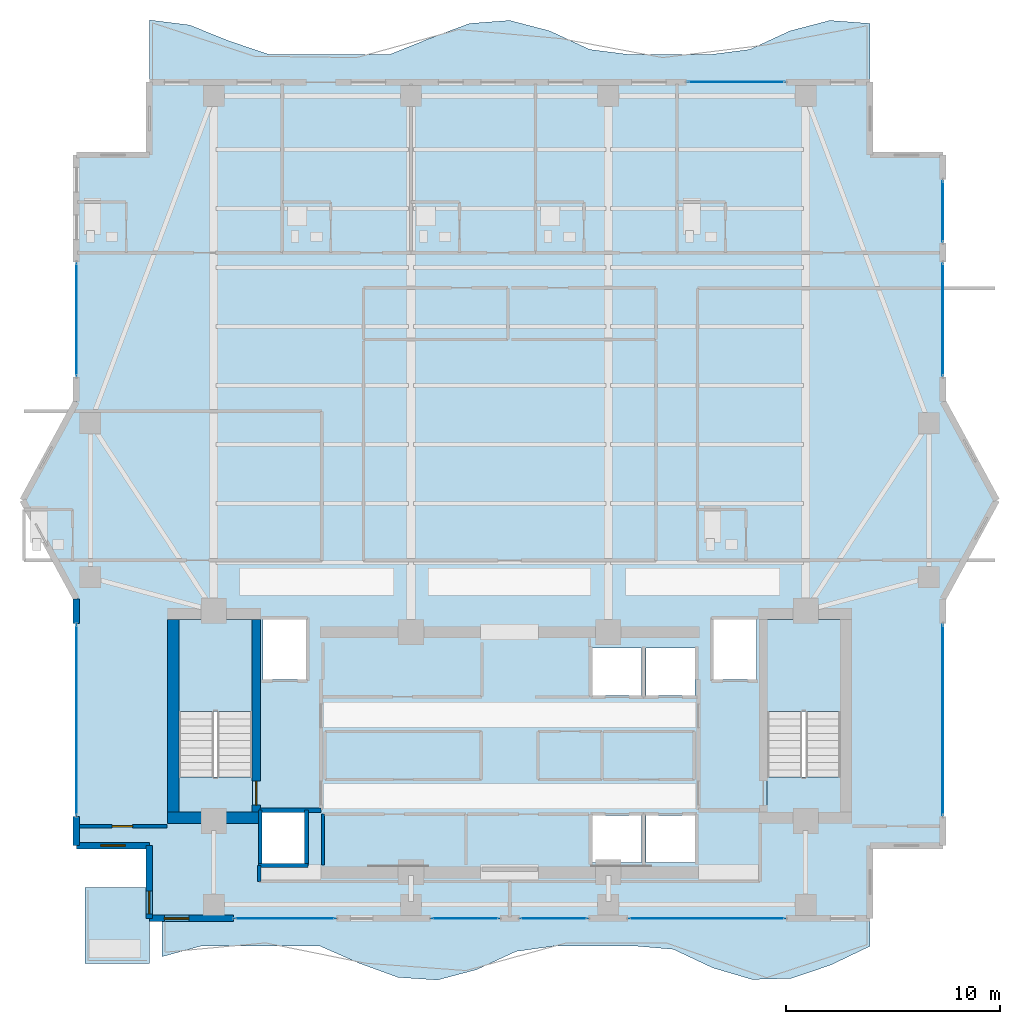
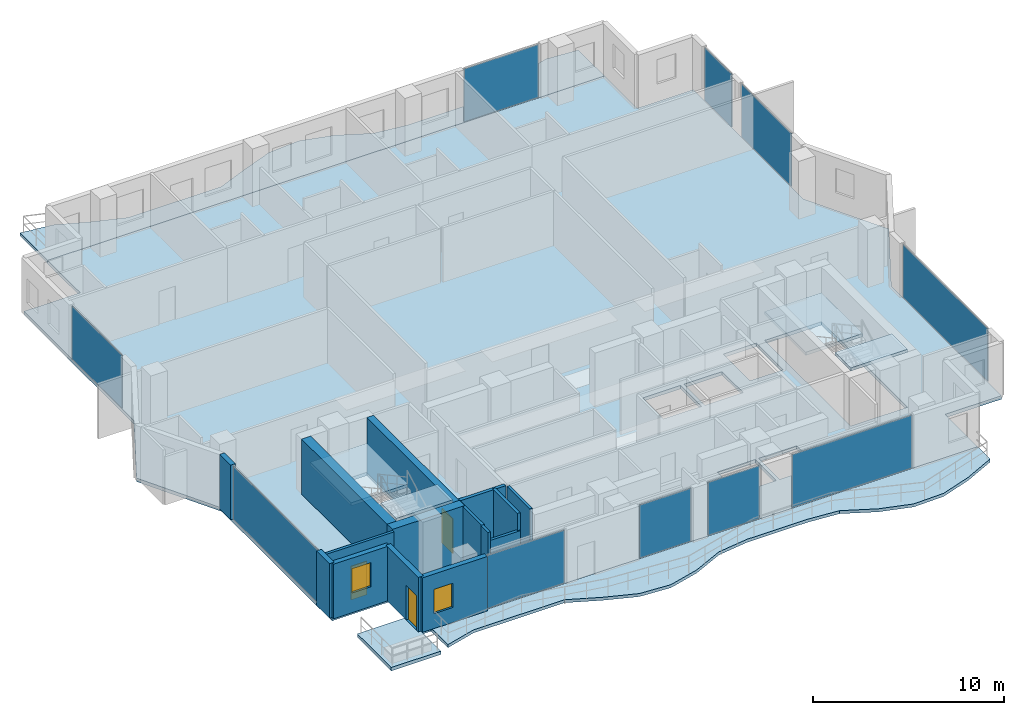
# One storey, part 17 of 26: 15 walls, 10 plates, 8 slabs, 3 doors, 2 windows, 5 openings, 12 elements without a shape of their own.
"""IFC4 building model written with IfcOpenShell, lengths in metres."""

import ifcopenshell
import ifcopenshell.guid

model = None  # the IFC model being written
_history = None  # IfcOwnerHistory: only IFC2X3 demands one
_inside = {}  # id of a spatial element -> (the spatial element, [elements in it])
_under = {}  # id of a project, library or spatial element -> (it, [spatial elements below it])
_declared = {}  # id of a project -> (the project, [libraries it declares])
_typed = {}  # id of a type object -> (the type object, [elements of that type])
_made_of = {}  # id of a material, layer set ... -> (it, [elements and type objects made of it])


def new_model(schema):
    """Start an empty IFC model of exactly this schema.

    Asked for "IFC4X3", IfcOpenShell would pick the latest addendum, in which some entities
    have other attributes; the version numbers below select the first issue.
    IFC2X3 requires an IfcOwnerHistory on every rooted entity: one is made here for all.
    """
    global model, _history
    if schema == "IFC4X3":
        model = ifcopenshell.file(schema_version=(4, 3, 0, 0))
    else:
        model = ifcopenshell.file(schema=schema)
    _inside.clear()
    _under.clear()
    _declared.clear()
    _typed.clear()
    _made_of.clear()
    _history = None
    if model.schema == "IFC2X3":
        org = make("IfcOrganization", Name="unknown")
        user = make(
            "IfcPersonAndOrganization",
            ThePerson=make("IfcPerson", FamilyName="unknown"),
            TheOrganization=org,
        )
        app = make(
            "IfcApplication",
            ApplicationDeveloper=org,
            Version="unknown",
            ApplicationFullName="unknown",
            ApplicationIdentifier="unknown",
        )
        _history = make(
            "IfcOwnerHistory",
            OwningUser=user,
            OwningApplication=app,
            ChangeAction="ADDED",
            CreationDate=0,
        )
    return model


def make(cls, **values):
    """One entity of the class cls with the attributes given. An attribute that is None is left unset."""
    return model.create_entity(
        cls, **{name: value for name, value in values.items() if value is not None}
    )


def rooted(cls, **values):
    """An entity with a GlobalId (a new one), such as an element, a storey or a relation."""
    return make(cls, GlobalId=ifcopenshell.guid.new(), OwnerHistory=_history, **values)


def si_unit(unit_type, name, prefix=None):
    """IfcSIUnit, for example si_unit("LENGTHUNIT", "METRE", prefix="MILLI")."""
    return make("IfcSIUnit", UnitType=unit_type, Prefix=prefix, Name=name)


def assignment(units):
    """IfcUnitAssignment: the units of a project."""
    return None if units is None else make("IfcUnitAssignment", Units=units)


def point(xyz):
    """IfcCartesianPoint."""
    return None if xyz is None else make("IfcCartesianPoint", Coordinates=xyz)


def direction(xyz):
    """IfcDirection."""
    return None if xyz is None else make("IfcDirection", DirectionRatios=xyz)


def frame(location, z_axis=None, x_axis=None):
    """IfcAxis2Placement3D, a coordinate frame: its origin and axes. An axis left out is left unset."""
    return make(
        "IfcAxis2Placement3D",
        Location=point(location),
        Axis=direction(z_axis),
        RefDirection=direction(x_axis),
    )


def frame_2d(location, x_axis=None):
    """IfcAxis2Placement2D, a coordinate frame in the plane: its origin and x axis."""
    return make(
        "IfcAxis2Placement2D", Location=point(location), RefDirection=direction(x_axis)
    )


def origin():
    """The frame at (0, 0, 0) with its axes left unset."""
    return frame((0.0, 0.0, 0.0))


def origin_2d():
    """The frame at (0, 0) in the plane with its x axis left unset."""
    return frame_2d((0.0, 0.0))


def place(relative_to, where):
    """IfcLocalPlacement: puts the frame where relative to a parent placement (None: the world)."""
    return make(
        "IfcLocalPlacement", PlacementRelTo=relative_to, RelativePlacement=where
    )


def context(
    kind, dimensions, precision=None, world=None, true_north=None, identifier=None
):
    """IfcGeometricRepresentationContext, for example the 3D "Model" context."""
    return make(
        "IfcGeometricRepresentationContext",
        ContextIdentifier=identifier,
        ContextType=kind,
        CoordinateSpaceDimension=dimensions,
        Precision=precision,
        WorldCoordinateSystem=world,
        TrueNorth=true_north,
    )


def subcontext(parent, identifier, kind, view, scale=None):
    """IfcGeometricRepresentationSubContext, for example "Body" below "Model"."""
    return make(
        "IfcGeometricRepresentationSubContext",
        ContextIdentifier=identifier,
        ContextType=kind,
        ParentContext=parent,
        TargetScale=scale,
        TargetView=view,
    )


def project(units=None, contexts=None):
    """IfcProject with its units and contexts."""
    return rooted(
        "IfcProject",
        Name="project",
        RepresentationContexts=contexts,
        UnitsInContext=assignment(units),
    )


def spatial(cls, under=None, at=None, **own):
    """A site, building, storey or space (cls), placed at a placement, below another one or the project."""
    s = rooted(cls, ObjectPlacement=at, **own)
    if under is not None:
        _under.setdefault(under.id(), (under, []))[1].append(s)
    return s


def polyline(points):
    """IfcPolyline through the points."""
    return make("IfcPolyline", Points=[point(p) for p in points])


def profile(cls, at=None, kind="AREA", **sizes):
    """A parametric profile (cls). Its sizes go by their IFC names, for example OverallWidth=200.0."""
    return make(cls, ProfileType=kind, Position=at, **sizes)


def rectangle(**sizes):
    """IfcRectangleProfileDef."""
    return profile("IfcRectangleProfileDef", **sizes)


def outline(outer, holes=None, kind="AREA"):
    """IfcArbitraryClosedProfileDef: a profile drawn as a closed curve; with holes, ...WithVoids."""
    if holes is None:
        return make("IfcArbitraryClosedProfileDef", ProfileType=kind, OuterCurve=outer)
    return make(
        "IfcArbitraryProfileDefWithVoids",
        ProfileType=kind,
        OuterCurve=outer,
        InnerCurves=holes,
    )


def extrude(swept, where, along, depth):
    """IfcExtrudedAreaSolid: the profile swept, set in the frame where, extruded along a direction by depth."""
    return make(
        "IfcExtrudedAreaSolid",
        SweptArea=swept,
        Position=where,
        ExtrudedDirection=direction(along),
        Depth=depth,
    )


def shape(context_of_items, identifier, shape_type, items):
    """IfcShapeRepresentation: the items that make up one representation, for example the "Body"."""
    return make(
        "IfcShapeRepresentation",
        ContextOfItems=context_of_items,
        RepresentationIdentifier=identifier,
        RepresentationType=shape_type,
        Items=items,
    )


def material(Name=None, Category=None):
    """IfcMaterial."""
    return make("IfcMaterial", Name=Name, Category=Category)


def layer(
    of_material, thickness, ventilated=None, Name=None, Category=None, Priority=None
):
    """IfcMaterialLayer: one layer of a wall or slab, of a material (None: an air gap)."""
    return make(
        "IfcMaterialLayer",
        Material=of_material,
        LayerThickness=thickness,
        IsVentilated=ventilated,
        Name=Name,
        Category=Category,
        Priority=Priority,
    )


def layer_set(layers, Name=None):
    """IfcMaterialLayerSet."""
    return make("IfcMaterialLayerSet", MaterialLayers=layers, LayerSetName=Name)


def made_of(thing, what):
    """Note that an element or type object is made of a material, layer set ...; save() writes the relation."""
    if what is not None:
        _made_of.setdefault(what.id(), (what, []))[1].append(thing)
    return thing


def type_object(cls, material=None, **own):
    """A type object (cls), such as IfcWallType, which elements share."""
    return made_of(rooted(cls, **own), material)


def element(
    cls,
    number,
    at=None,
    inside=None,
    cuts=None,
    type_object=None,
    material=None,
    context=None,
    identifier="Body",
    shape_type=None,
    held_by="IfcProductDefinitionShape",
    body=None,
    shapes=None,
    **own,
):
    """One element of the class cls, such as IfcWall. Its Tag is "e" and its number.

    at: its placement. inside: the storey or other place that contains it. cuts: it is an
    opening in that element (IfcRelVoidsElement). A single representation is given by context,
    identifier, shape_type and body (its items); several are given by shapes. held_by: the class
    of the entity that holds the representations. save() writes the other relations.
    """
    e = rooted(cls, Tag="e%d" % number, ObjectPlacement=at, **own)
    if body is not None:
        shapes = [shape(context, identifier, shape_type, body)]
    if shapes is not None:
        e.Representation = make(held_by, Representations=shapes)
    if inside is not None:
        _inside.setdefault(inside.id(), (inside, []))[1].append(e)
    if cuts is not None:
        rooted(
            "IfcRelVoidsElement", RelatingBuildingElement=cuts, RelatedOpeningElement=e
        )
    if type_object is not None:
        _typed.setdefault(type_object.id(), (type_object, []))[1].append(e)
    return made_of(e, material)


def fill(opening, filler):
    """IfcRelFillsElement: the door or window that sits in an opening."""
    return rooted(
        "IfcRelFillsElement",
        RelatingOpeningElement=opening,
        RelatedBuildingElement=filler,
    )


def aggregate(whole, parts):
    """IfcRelAggregates: a whole, such as a stair, and the parts it consists of."""
    return rooted("IfcRelAggregates", RelatingObject=whole, RelatedObjects=parts)


def save(model, path):
    """Write the relations noted so far, then the file.

    IfcRelAggregates (storeys below a building ...), IfcRelContainedInSpatialStructure (elements
    in a storey), IfcRelDefinesByType, IfcRelAssociatesMaterial and IfcRelDeclares: one each for
    every whole, place, type object, material and project.
    """
    for whole, parts in _under.values():
        aggregate(whole, parts)
    for where, things in _inside.values():
        rooted(
            "IfcRelContainedInSpatialStructure",
            RelatedElements=things,
            RelatingStructure=where,
        )
    for kind, things in _typed.values():
        rooted("IfcRelDefinesByType", RelatedObjects=things, RelatingType=kind)
    for what, things in _made_of.values():
        rooted("IfcRelAssociatesMaterial", RelatedObjects=things, RelatingMaterial=what)
    for by, libraries in _declared.values():
        rooted("IfcRelDeclares", RelatingContext=by, RelatedDefinitions=libraries)
    model.write(path)


model = new_model("IFC4")

# Units and contexts
model_context = context("Model", 3, precision=1e-05, world=origin(), true_north=direction((0.0, 1.0)))
body_context = subcontext(model_context, "Body", "Model", "MODEL_VIEW")
ifc_project = project(units=[si_unit("LENGTHUNIT", "METRE"), si_unit("AREAUNIT", "SQUARE_METRE"), si_unit("VOLUMEUNIT", "CUBIC_METRE"), si_unit("PLANEANGLEUNIT", "RADIAN"), si_unit("MASSUNIT", "GRAM", prefix="KILO")], contexts=[model_context])

# Site, building, storey
site_placement = place(None, origin())
site = spatial("IfcSite", under=ifc_project, at=site_placement, CompositionType="ELEMENT")
building_placement = place(site_placement, origin())
building = spatial("IfcBuilding", under=site, at=building_placement, Name="Zuhayl Quay Hotel", CompositionType="ELEMENT")
storey_placement = place(building_placement, frame((0.0, 0.0, 247.050048828125)))
storey = spatial("IfcBuildingStorey", under=building, at=storey_placement, Name="L62", CompositionType="ELEMENT", Elevation=247.050048828125)

# Curtain wall, plate
ifc_material_1 = material(Name="Anodised Aluminium 6063-T6", Category="aluminium")
ifc_layer_1 = layer(ifc_material_1, 0.169921875, Name="Anodised Aluminium 6063-T6", Category="aluminium")
ifc_layer_set_1 = layer_set([ifc_layer_1], Name="Anodised Aluminium 6063-T6")
curtain_wall_type = type_object("IfcCurtainWallType", Name="CW_SYS_Z4", PredefinedType="USERDEFINED", material=ifc_layer_set_1)
curtain_wall_1_placement = place(storey_placement, origin())
curtain_wall_1 = element("IfcCurtainWall", 1, at=curtain_wall_1_placement, inside=storey, type_object=curtain_wall_type, Name="L62 Curtain Wall ENV_L62_E02_CW1", ObjectType="UNITISED CURTAIN WALL", PredefinedType="USERDEFINED")
ifc_material_2 = material(Name="Dark Ceramic-Fritted Solar Glass", Category="glass")
ifc_layer_2 = layer(ifc_material_2, 0.035888671875, Name="Dark Ceramic-Fritted Solar Glass", Category="glass")
ifc_layer_set_2 = layer_set([ifc_layer_2], Name="Dark Ceramic-Fritted Solar Glass")
plate_type = type_object("IfcPlateType", Name="PN_DARK_FRIT_Z1", PredefinedType="CURTAIN_PANEL", material=ifc_layer_set_2)
plate_1_placement = place(storey_placement, frame((-20.199951171875, 9.25, 0.054931640625), z_axis=(0.0, 0.0, 1.0), x_axis=(0.0, 1.0, 0.0)))
plate_1 = element("IfcPlate", 2, at=plate_1_placement, type_object=plate_type, Name="CW-Z4 panel 1.1", PredefinedType="CURTAIN_PANEL", context=body_context, shape_type="SweptSolid", body=[
    extrude(rectangle(XDim=8.8701171875, YDim=0.035888671875, at=origin_2d()), origin(), (0.0, 0.0, 1.0), 3.3701171875),
])
aggregate(curtain_wall_1, [plate_1])

curtain_wall_2_placement = place(storey_placement, origin())
curtain_wall_2 = element("IfcCurtainWall", 3, at=curtain_wall_2_placement, inside=storey, type_object=curtain_wall_type, Name="L62 Curtain Wall ENV_L62_E05_CW1", ObjectType="UNITISED CURTAIN WALL", PredefinedType="USERDEFINED")
plate_2_placement = place(storey_placement, frame((-20.199951171875, 27.925048828125, 0.054931640625), z_axis=(0.0, 0.0, 1.0), x_axis=(0.0, 1.0, 0.0)))
plate_2 = element("IfcPlate", 4, at=plate_2_placement, type_object=plate_type, Name="CW-Z4 panel 1.1", PredefinedType="CURTAIN_PANEL", context=body_context, shape_type="SweptSolid", body=[
    extrude(rectangle(XDim=5.219970703125, YDim=0.035888671875, at=origin_2d()), origin(), (0.0, 0.0, 1.0), 3.3701171875),
])
aggregate(curtain_wall_2, [plate_2])

curtain_wall_3_placement = place(storey_placement, origin())
curtain_wall_3 = element("IfcCurtainWall", 5, at=curtain_wall_3_placement, inside=storey, type_object=curtain_wall_type, Name="L62 Curtain Wall ENV_L62_N_CW1", ObjectType="UNITISED CURTAIN WALL", PredefinedType="USERDEFINED")
plate_3_placement = place(storey_placement, frame((10.56494140625, 39.0, 0.054931640625), z_axis=(0.0, 0.0, 1.0), x_axis=(1.0, 0.0, 0.0)))
plate_3 = element("IfcPlate", 6, at=plate_3_placement, type_object=plate_type, Name="CW-Z4 panel 1.1", PredefinedType="CURTAIN_PANEL", context=body_context, shape_type="SweptSolid", body=[
    extrude(rectangle(XDim=4.5, YDim=0.035888671875, at=origin_2d()), origin(), (0.0, 0.0, 1.0), 3.3701171875),
])
aggregate(curtain_wall_3, [plate_3])

curtain_wall_4_placement = place(storey_placement, origin())
curtain_wall_4 = element("IfcCurtainWall", 7, at=curtain_wall_4_placement, inside=storey, type_object=curtain_wall_type, Name="L62 Curtain Wall ENV_L62_E11_CW1", ObjectType="UNITISED CURTAIN WALL", PredefinedType="USERDEFINED")
plate_4_placement = place(storey_placement, frame((20.199951171875, 32.97509765625, 0.054931640625), z_axis=(0.0, 0.0, 1.0), x_axis=(0.0, -1.0, 0.0)))
plate_4 = element("IfcPlate", 8, at=plate_4_placement, type_object=plate_type, Name="CW-Z4 panel 1.1", PredefinedType="CURTAIN_PANEL", context=body_context, shape_type="SweptSolid", body=[
    extrude(rectangle(XDim=2.820068359375, YDim=0.035888671875, at=origin_2d()), origin(), (0.0, 0.0, 1.0), 3.3701171875),
])
aggregate(curtain_wall_4, [plate_4])

curtain_wall_5_placement = place(storey_placement, origin())
curtain_wall_5 = element("IfcCurtainWall", 9, at=curtain_wall_5_placement, inside=storey, type_object=curtain_wall_type, Name="L62 Curtain Wall ENV_L62_E11_CW2", ObjectType="UNITISED CURTAIN WALL", PredefinedType="USERDEFINED")
plate_5_placement = place(storey_placement, frame((20.199951171875, 27.925048828125, 0.054931640625), z_axis=(0.0, 0.0, 1.0), x_axis=(0.0, -1.0, 0.0)))
plate_5 = element("IfcPlate", 10, at=plate_5_placement, type_object=plate_type, Name="CW-Z4 panel 1.1", PredefinedType="CURTAIN_PANEL", context=body_context, shape_type="SweptSolid", body=[
    extrude(rectangle(XDim=5.219970703125, YDim=0.035888671875, at=origin_2d()), origin(), (0.0, 0.0, 1.0), 3.3701171875),
])
aggregate(curtain_wall_5, [plate_5])

curtain_wall_6_placement = place(storey_placement, origin())
curtain_wall_6 = element("IfcCurtainWall", 11, at=curtain_wall_6_placement, inside=storey, type_object=curtain_wall_type, Name="L62 Curtain Wall ENV_L62_E14_CW1", ObjectType="UNITISED CURTAIN WALL", PredefinedType="USERDEFINED")
plate_6_placement = place(storey_placement, frame((20.199951171875, 9.25, 0.054931640625), z_axis=(0.0, 0.0, 1.0), x_axis=(0.0, -1.0, 0.0)))
plate_6 = element("IfcPlate", 12, at=plate_6_placement, type_object=plate_type, Name="CW-Z4 panel 1.1", PredefinedType="CURTAIN_PANEL", context=body_context, shape_type="SweptSolid", body=[
    extrude(rectangle(XDim=8.8701171875, YDim=0.035888671875, at=origin_2d()), origin(), (0.0, 0.0, 1.0), 3.3701171875),
])
aggregate(curtain_wall_6, [plate_6])

curtain_wall_7_placement = place(storey_placement, origin())
curtain_wall_7 = element("IfcCurtainWall", 13, at=curtain_wall_7_placement, inside=storey, type_object=curtain_wall_type, Name="L62 Curtain Wall ENV_L62_S_CW1", ObjectType="UNITISED CURTAIN WALL", PredefinedType="USERDEFINED")
plate_7_placement = place(storey_placement, frame((9.199951171875, 0.0, 0.054931640625), z_axis=(0.0, 0.0, 1.0), x_axis=(-1.0, 0.0, 0.0)))
plate_7 = element("IfcPlate", 14, at=plate_7_placement, type_object=plate_type, Name="CW-Z4 panel 1.1", PredefinedType="CURTAIN_PANEL", context=body_context, shape_type="SweptSolid", body=[
    extrude(rectangle(XDim=7.22998046875, YDim=0.035888671875, at=origin_2d()), origin(), (0.0, 0.0, 1.0), 3.3701171875),
])
aggregate(curtain_wall_7, [plate_7])

curtain_wall_8_placement = place(storey_placement, origin())
curtain_wall_8 = element("IfcCurtainWall", 15, at=curtain_wall_8_placement, inside=storey, type_object=curtain_wall_type, Name="L62 Curtain Wall ENV_L62_S_CW2", ObjectType="UNITISED CURTAIN WALL", PredefinedType="USERDEFINED")
plate_8_placement = place(storey_placement, frame((2.06494140625, 0.0, 0.054931640625), z_axis=(0.0, 0.0, 1.0), x_axis=(-1.0, 0.0, 0.0)))
plate_8 = element("IfcPlate", 16, at=plate_8_placement, type_object=plate_type, Name="CW-Z4 panel 1.1", PredefinedType="CURTAIN_PANEL", context=body_context, shape_type="SweptSolid", body=[
    extrude(rectangle(XDim=3.10009765625, YDim=0.035888671875, at=origin_2d()), origin(), (0.0, 0.0, 1.0), 3.3701171875),
])
aggregate(curtain_wall_8, [plate_8])

curtain_wall_9_placement = place(storey_placement, origin())
curtain_wall_9 = element("IfcCurtainWall", 17, at=curtain_wall_9_placement, inside=storey, type_object=curtain_wall_type, Name="L62 Curtain Wall ENV_L62_S_CW3", ObjectType="UNITISED CURTAIN WALL", PredefinedType="USERDEFINED")
plate_9_placement = place(storey_placement, frame((-2.06494140625, 0.0, 0.054931640625), z_axis=(0.0, 0.0, 1.0), x_axis=(-1.0, 0.0, 0.0)))
plate_9 = element("IfcPlate", 18, at=plate_9_placement, type_object=plate_type, Name="CW-Z4 panel 1.1", PredefinedType="CURTAIN_PANEL", context=body_context, shape_type="SweptSolid", body=[
    extrude(rectangle(XDim=3.10009765625, YDim=0.035888671875, at=origin_2d()), origin(), (0.0, 0.0, 1.0), 3.3701171875),
])
aggregate(curtain_wall_9, [plate_9])

curtain_wall_10_placement = place(storey_placement, origin())
curtain_wall_10 = element("IfcCurtainWall", 19, at=curtain_wall_10_placement, inside=storey, type_object=curtain_wall_type, Name="L62 Curtain Wall ENV_L62_S_CW4", ObjectType="UNITISED CURTAIN WALL", PredefinedType="USERDEFINED")
plate_10_placement = place(storey_placement, frame((-10.4775390625, 0.0, 0.054931640625), z_axis=(0.0, 0.0, 1.0), x_axis=(-1.0, 0.0, 0.0)))
plate_10 = element("IfcPlate", 20, at=plate_10_placement, type_object=plate_type, Name="CW-Z4 panel 1.1", PredefinedType="CURTAIN_PANEL", context=body_context, shape_type="SweptSolid", body=[
    extrude(rectangle(XDim=4.675048828125, YDim=0.035888671875, at=origin_2d()), origin(), (0.0, 0.0, 1.0), 3.3701171875),
])
aggregate(curtain_wall_10, [plate_10])

# Slabs
ifc_material_3 = material(Name="Concrete C45/55", Category="concrete")
ifc_layer_3 = layer(ifc_material_3, 0.195068359375, Name="Concrete C45/55", Category="concrete")
ifc_layer_set_3 = layer_set([ifc_layer_3], Name="Concrete C45/55")
slab_type_1 = type_object("IfcSlabType", Name="SL_BALCONY_195", PredefinedType="FLOOR", material=ifc_layer_set_3)
slab_1_placement = place(storey_placement, frame((0.0, 0.0, -0.195068359375)))
element("IfcSlab", 21, at=slab_1_placement, inside=storey, type_object=slab_type_1, Name="L62 Exterior Rippling Balcony Slab North", PredefinedType="FLOOR", context=body_context, shape_type="SweptSolid", body=[
    extrude(outline(polyline([(-16.800048828125, 39.0), (16.800048828125, 39.0), (16.800048828125, 41.732421875), (14.933349609375, 41.872802734375), (13.066650390625, 41.384765625), (11.199951171875, 40.519287109375), (9.333251953125, 40.280029296875), (7.466796875, 40.280029296875), (5.60009765625, 40.280029296875), (3.7333984375, 40.519287109375), (1.86669921875, 41.384765625), (0.0, 41.872802734375), (-1.86669921875, 41.732421875), (-3.7333984375, 41.036376953125), (-5.60009765625, 40.280029296875), (-7.466796875, 40.280029296875), (-9.333251953125, 40.280029296875), (-11.199951171875, 40.280029296875), (-13.066650390625, 40.909912109375), (-14.933349609375, 41.661376953125), (-16.800048828125, 41.893310546875), (-16.800048828125, 39.0)])), origin(), (0.0, 0.0, 1.0), 0.195068359375),
])
slab_2_placement = place(storey_placement, frame((0.0, 0.0, -0.195068359375)))
element("IfcSlab", 22, at=slab_2_placement, inside=storey, type_object=slab_type_1, Name="L62 Exterior Rippling Balcony Slab South", PredefinedType="FLOOR", context=body_context, shape_type="SweptSolid", body=[
    extrude(outline(polyline([(-16.199951171875, -1.78076171875), (-14.36669921875, -1.280029296875), (-12.533203125, -1.280029296875), (-10.699951171875, -1.280029296875), (-8.86669921875, -1.280029296875), (-7.033203125, -2.08251953125), (-5.199951171875, -2.74853515625), (-3.36669921875, -2.869140625), (-1.533203125, -2.384765625), (0.300048828125, -1.53564453125), (2.13330078125, -1.280029296875), (3.966796875, -1.280029296875), (5.800048828125, -1.280029296875), (7.63330078125, -1.438232421875), (9.466796875, -2.302978515625), (11.300048828125, -2.84375), (13.13330078125, -2.7919921875), (14.966796875, -2.17333984375), (16.800048828125, -1.294921875), (16.800048828125, 0.0), (-16.199951171875, 0.0), (-16.199951171875, -1.78076171875)])), origin(), (0.0, 0.0, 1.0), 0.195068359375),
])
ifc_layer_4 = layer(ifc_material_3, 0.219970703125, Name="Concrete C45/55", Category="concrete")
ifc_layer_set_4 = layer_set([ifc_layer_4], Name="Concrete C45/55")
slab_type_2 = type_object("IfcSlabType", Name="SL_FLOOR_220", PredefinedType="FLOOR", material=ifc_layer_set_4)
slab_3_placement = place(storey_placement, frame((0.0, 0.0, -0.219970703125)))
element("IfcSlab", 23, at=slab_3_placement, inside=storey, type_object=slab_type_2, Name="L62 Structural Floor Slab", PredefinedType="FLOOR", context=body_context, shape_type="SweptSolid", body=[
    extrude(outline(polyline([(-16.800048828125, 0.0), (16.800048828125, 0.0), (16.800048828125, 3.39990234375), (20.199951171875, 3.39990234375), (20.199951171875, 14.89990234375), (22.699951171875, 19.5), (20.199951171875, 24.10009765625), (20.199951171875, 35.60009765625), (16.800048828125, 35.60009765625), (16.800048828125, 39.0), (-16.800048828125, 39.0), (-16.800048828125, 35.60009765625), (-20.199951171875, 35.60009765625), (-20.199951171875, 24.10009765625), (-22.699951171875, 19.5), (-20.199951171875, 14.89990234375), (-20.199951171875, 3.39990234375), (-16.800048828125, 3.39990234375), (-16.800048828125, 0.0)]), holes=[polyline([(-12.0, 4.949951171875), (-12.0, 13.949951171875), (-15.429931640625, 13.949951171875), (-15.429931640625, 4.949951171875), (-12.0, 4.949951171875)]), polyline([(15.429931640625, 4.949951171875), (15.429931640625, 13.949951171875), (12.0, 13.949951171875), (12.0, 4.949951171875), (15.429931640625, 4.949951171875)]), polyline([(-11.5, 11.14990234375), (-9.5, 11.14990234375), (-9.5, 13.949951171875), (-11.5, 13.949951171875), (-11.5, 11.14990234375)]), polyline([(9.5, 11.14990234375), (11.5, 11.14990234375), (11.5, 13.949951171875), (9.5, 13.949951171875), (9.5, 11.14990234375)]), polyline([(3.85009765625, 2.60009765625), (6.14990234375, 2.60009765625), (6.14990234375, 4.800048828125), (3.85009765625, 4.800048828125), (3.85009765625, 2.60009765625)]), polyline([(6.35009765625, 2.60009765625), (8.64990234375, 2.60009765625), (8.64990234375, 4.800048828125), (6.35009765625, 4.800048828125), (6.35009765625, 2.60009765625)]), polyline([(3.85009765625, 10.39990234375), (6.14990234375, 10.39990234375), (6.14990234375, 12.60009765625), (3.85009765625, 12.60009765625), (3.85009765625, 10.39990234375)]), polyline([(6.35009765625, 10.39990234375), (8.64990234375, 10.39990234375), (8.64990234375, 12.60009765625), (6.35009765625, 12.60009765625), (6.35009765625, 10.39990234375)]), polyline([(-11.550048828125, 2.550048828125), (-9.550048828125, 2.550048828125), (-9.550048828125, 4.949951171875), (-11.550048828125, 4.949951171875), (-11.550048828125, 2.550048828125)])]), origin(), (0.0, 0.0, 1.0), 0.219970703125),
])

# Stair, slabs
stair_type = type_object("IfcStairType", Name="ST_DOGLEG_TOWER", PredefinedType="HALF_TURN_STAIR", material=ifc_material_3)
stair_1_placement = place(storey_placement, origin())
stair_1 = element("IfcStair", 24, at=stair_1_placement, inside=storey, type_object=stair_type, Name="L62 Smokeproof Exit Stair ST1", PredefinedType="HALF_TURN_STAIR")
ifc_layer_5 = layer(ifc_material_3, 0.199951171875, Name="Concrete C45/55", Category="concrete")
ifc_layer_set_5 = layer_set([ifc_layer_5], Name="Concrete C45/55")
slab_type_3 = type_object("IfcSlabType", Name="SL_STAIR_LANDING_200", PredefinedType="LANDING", material=ifc_layer_set_5)
slab_4_placement = place(storey_placement, frame((0.0, 0.0, 1.64990234375)))
slab_4 = element("IfcSlab", 25, at=slab_4_placement, type_object=slab_type_3, Name="ST1 landing 1", PredefinedType="LANDING", context=body_context, shape_type="SweptSolid", body=[
    extrude(outline(polyline([(-12.0, 9.64990234375), (-12.0, 13.949951171875), (-15.429931640625, 13.949951171875), (-15.429931640625, 9.64990234375), (-12.0, 9.64990234375)])), origin(), (0.0, 0.0, 1.0), 0.199951171875),
])
slab_5_placement = place(storey_placement, frame((0.0, 0.0, 3.5)))
slab_5 = element("IfcSlab", 26, at=slab_5_placement, type_object=slab_type_3, Name="ST1 landing 2", PredefinedType="LANDING", context=body_context, shape_type="SweptSolid", body=[
    extrude(outline(polyline([(-12.0, 4.949951171875), (-12.0, 6.590087890625), (-15.429931640625, 6.590087890625), (-15.429931640625, 4.949951171875), (-12.0, 4.949951171875)])), origin(), (0.0, 0.0, 1.0), 0.199951171875),
])
aggregate(stair_1, [slab_4, slab_5])

stair_2_placement = place(storey_placement, origin())
stair_2 = element("IfcStair", 27, at=stair_2_placement, inside=storey, type_object=stair_type, Name="L62 Smokeproof Exit Stair ST2", PredefinedType="HALF_TURN_STAIR")
slab_6_placement = place(storey_placement, frame((0.0, 0.0, 1.64990234375)))
slab_6 = element("IfcSlab", 28, at=slab_6_placement, type_object=slab_type_3, Name="ST2 landing 1", PredefinedType="LANDING", context=body_context, shape_type="SweptSolid", body=[
    extrude(outline(polyline([(15.429931640625, 9.64990234375), (15.429931640625, 13.949951171875), (12.0, 13.949951171875), (12.0, 9.64990234375), (15.429931640625, 9.64990234375)])), origin(), (0.0, 0.0, 1.0), 0.199951171875),
])
slab_7_placement = place(storey_placement, frame((0.0, 0.0, 3.5)))
slab_7 = element("IfcSlab", 29, at=slab_7_placement, type_object=slab_type_3, Name="ST2 landing 2", PredefinedType="LANDING", context=body_context, shape_type="SweptSolid", body=[
    extrude(outline(polyline([(15.429931640625, 4.949951171875), (15.429931640625, 6.590087890625), (12.0, 6.590087890625), (12.0, 4.949951171875), (15.429931640625, 4.949951171875)])), origin(), (0.0, 0.0, 1.0), 0.199951171875),
])
aggregate(stair_2, [slab_6, slab_7])

# Slab
ifc_layer_6 = layer(ifc_material_3, 0.219970703125, Name="Concrete C45/55", Category="concrete")
ifc_layer_set_6 = layer_set([ifc_layer_6], Name="Concrete C45/55")
slab_type_4 = type_object("IfcSlabType", Name="SL_TERRACE_235", PredefinedType="FLOOR", material=ifc_layer_set_6)
slab_8_placement = place(storey_placement, frame((0.0, 0.0, -0.219970703125)))
element("IfcSlab", 30, at=slab_8_placement, inside=storey, type_object=slab_type_4, Name="L62 Exterior Sky-Terrace Slab L62_SPIRAL_SW", PredefinedType="FLOOR", context=body_context, shape_type="SweptSolid", body=[
    extrude(outline(polyline([(-19.800048828125, -2.10009765625), (-16.800048828125, -2.10009765625), (-16.800048828125, 1.449951171875), (-19.800048828125, 1.449951171875), (-19.800048828125, -2.10009765625)])), origin(), (0.0, 0.0, 1.0), 0.219970703125),
])

# Walls
ifc_material_4 = material(Name="Concrete C50/60", Category="concrete")
ifc_layer_7 = layer(ifc_material_4, 0.550048828125, Name="Concrete C50/60", Category="concrete")
ifc_layer_set_7 = layer_set([ifc_layer_7], Name="Concrete C50/60")
wall_type_1 = type_object("IfcWallType", Name="WL_CORE_550", PredefinedType="SHEAR", material=ifc_layer_set_7)
wall_1_placement = place(storey_placement, frame((-15.68505859375, 4.969970703125, 0.0), z_axis=(0.0, 0.0, 1.0), x_axis=(0.0, 1.0, 0.0)))
element("IfcWall", 31, at=wall_1_placement, inside=storey, type_object=wall_type_1, Name="L62 Core Shear Wall CW_W", PredefinedType="SHEAR", context=body_context, shape_type="SweptSolid", body=[
    extrude(rectangle(XDim=8.9599609375, YDim=0.550048828125, at=frame_2d((4.47998046875, 0.0))), origin(), (0.0, 0.0, 1.0), 3.510009765625),
])
wall_2_placement = place(storey_placement, frame((-15.9599609375, 4.695068359375, 0.0), z_axis=(0.0, 0.0, 1.0), x_axis=(1.0, 0.0, 0.0)))
element("IfcWall", 32, at=wall_2_placement, inside=storey, type_object=wall_type_1, Name="L62 Core Shear Wall CW_SW", PredefinedType="SHEAR", context=body_context, shape_type="SweptSolid", body=[
    extrude(rectangle(XDim=4.35986328125, YDim=0.550048828125, at=frame_2d((2.179931640625, 0.0))), origin(), (0.0, 0.0, 1.0), 3.510009765625),
])

# Wall, opening, window
ifc_material_5 = material(Name="Precast concrete C45/55", Category="concrete")
ifc_layer_8 = layer(ifc_material_5, 0.300048828125, Name="Precast concrete C45/55", Category="concrete")
ifc_layer_set_8 = layer_set([ifc_layer_8], Name="Precast concrete C45/55")
wall_type_2 = type_object("IfcWallType", Name="WL_EXT_300", PredefinedType="STANDARD", material=ifc_layer_set_8)
wall_3_placement = place(storey_placement, frame((-16.800048828125, 3.39990234375, 0.0), z_axis=(0.0, 0.0, 1.0), x_axis=(-1.0, 0.0, 0.0)))
wall_3 = element("IfcWall", 33, at=wall_3_placement, inside=storey, type_object=wall_type_2, Name="L62 Exterior Precast Wall ENV_L62_EW01", PredefinedType="STANDARD", context=body_context, shape_type="SweptSolid", body=[
    extrude(rectangle(XDim=3.39990234375, YDim=0.300048828125, at=frame_2d((1.699951171875, 0.0))), origin(), (0.0, 0.0, 1.0), 3.47998046875),
])
opening_1_placement = place(wall_3_placement, frame((1.125, 0.0, 1.25)))
opening_1 = element("IfcOpeningElement", 34, at=opening_1_placement, cuts=wall_3, Name="Opening W01N", PredefinedType="OPENING", context=body_context, shape_type="SweptSolid", body=[
    extrude(rectangle(XDim=1.14990234375, YDim=1.550048828125, at=frame_2d((0.574951171875, 0.77490234375))), frame((0.0, 0.159912109375, 0.0), z_axis=(0.0, -1.0, 0.0), x_axis=(1.0, 0.0, 0.0)), (0.0, 0.0, 1.0), 0.320068359375),
])
window_type = type_object("IfcWindowType", Name="WN_NOTCH_1350", PartitioningType="SINGLE_PANEL", PredefinedType="WINDOW", material=ifc_material_2)
window_1_placement = place(opening_1_placement, origin())
window_1 = element("IfcWindow", 35, at=window_1_placement, inside=storey, type_object=window_type, Name="L62 Corner Notch Window 1", OverallHeight=1.550048828125, OverallWidth=1.14990234375, PartitioningType="SINGLE_PANEL", PredefinedType="WINDOW", context=body_context, shape_type="SweptSolid", body=[
    extrude(rectangle(XDim=1.14990234375, YDim=1.550048828125, at=frame_2d((0.574951171875, 0.77490234375))), frame((0.0, 0.030029296875, 0.0), z_axis=(0.0, -1.0, 0.0), x_axis=(1.0, 0.0, 0.0)), (0.0, 0.0, 1.0), 0.06005859375),
])
fill(opening_1, window_1)

# Walls
wall_4_placement = place(storey_placement, frame((-20.199951171875, 3.39990234375, 0.0), z_axis=(0.0, 0.0, 1.0), x_axis=(0.0, 1.0, 0.0)))
element("IfcWall", 36, at=wall_4_placement, inside=storey, type_object=wall_type_2, Name="L62 Exterior Precast Wall ENV_L62_E02_EW1", PredefinedType="STANDARD", context=body_context, shape_type="SweptSolid", body=[
    extrude(rectangle(XDim=1.35009765625, YDim=0.300048828125, at=frame_2d((0.675048828125, 0.0))), origin(), (0.0, 0.0, 1.0), 3.47998046875),
])
wall_5_placement = place(storey_placement, frame((-20.199951171875, 13.75, 0.0), z_axis=(0.0, 0.0, 1.0), x_axis=(0.0, 1.0, 0.0)))
element("IfcWall", 37, at=wall_5_placement, inside=storey, type_object=wall_type_2, Name="L62 Exterior Precast Wall ENV_L62_E02_EW2", PredefinedType="STANDARD", context=body_context, shape_type="SweptSolid", body=[
    extrude(rectangle(XDim=1.14990234375, YDim=0.300048828125, at=frame_2d((0.574951171875, 0.0))), origin(), (0.0, 0.0, 1.0), 3.47998046875),
])

# Wall, opening, window
wall_6_placement = place(storey_placement, frame((-12.8798828125, 0.0, 0.0), z_axis=(0.0, 0.0, 1.0), x_axis=(-1.0, 0.0, 0.0)))
wall_6 = element("IfcWall", 38, at=wall_6_placement, inside=storey, type_object=wall_type_2, Name="L62 Exterior Precast Wall ENV_L62_S_EW5", PredefinedType="STANDARD", context=body_context, shape_type="SweptSolid", body=[
    extrude(rectangle(XDim=3.920166015625, YDim=0.300048828125, at=frame_2d((1.9599609375, 0.0))), origin(), (0.0, 0.0, 1.0), 3.47998046875),
])
opening_2_placement = place(wall_6_placement, frame((2.074951171875, 0.0, 0.949951171875)))
opening_2 = element("IfcOpeningElement", 39, at=opening_2_placement, cuts=wall_6, Name="Opening W01N", PredefinedType="OPENING", context=body_context, shape_type="SweptSolid", body=[
    extrude(rectangle(XDim=1.14990234375, YDim=1.550048828125, at=frame_2d((0.574951171875, 0.77490234375))), frame((0.0, 0.159912109375, 0.0), z_axis=(0.0, -1.0, 0.0), x_axis=(1.0, 0.0, 0.0)), (0.0, 0.0, 1.0), 0.320068359375),
])
window_2_placement = place(opening_2_placement, origin())
window_2 = element("IfcWindow", 40, at=window_2_placement, inside=storey, type_object=window_type, Name="L62 Operable Facade Window 5-1", OverallHeight=1.550048828125, OverallWidth=1.14990234375, PartitioningType="SINGLE_PANEL", PredefinedType="WINDOW", context=body_context, shape_type="SweptSolid", body=[
    extrude(rectangle(XDim=1.14990234375, YDim=1.550048828125, at=frame_2d((0.574951171875, 0.77490234375))), frame((0.0, 0.030029296875, 0.0), z_axis=(0.0, -1.0, 0.0), x_axis=(1.0, 0.0, 0.0)), (0.0, 0.0, 1.0), 0.06005859375),
])
fill(opening_2, window_2)

# Wall, opening, door
wall_7_placement = place(storey_placement, frame((-16.800048828125, 0.0, 0.0), z_axis=(0.0, 0.0, 1.0), x_axis=(0.0, 1.0, 0.0)))
wall_7 = element("IfcWall", 41, at=wall_7_placement, inside=storey, type_object=wall_type_2, Name="L62 Exterior Precast Wall ENV_L62_SP_SW", PredefinedType="STANDARD", context=body_context, shape_type="SweptSolid", body=[
    extrude(rectangle(XDim=3.39990234375, YDim=0.300048828125, at=frame_2d((1.699951171875, 0.0))), origin(), (0.0, 0.0, 1.0), 3.47998046875),
])
opening_3_placement = place(wall_7_placement, frame((0.219970703125, 0.0, 0.0)))
opening_3 = element("IfcOpeningElement", 42, at=opening_3_placement, cuts=wall_7, Name="Opening DG1", PredefinedType="OPENING", context=body_context, shape_type="SweptSolid", body=[
    extrude(rectangle(XDim=1.050048828125, YDim=2.199951171875, at=frame_2d((0.52490234375, 1.10009765625))), frame((0.0, 0.159912109375, 0.0), z_axis=(0.0, -1.0, 0.0), x_axis=(1.0, 0.0, 0.0)), (0.0, 0.0, 1.0), 0.320068359375),
])
ifc_material_6 = material(Name="Anodised Aluminium and Dark Solar Glass", Category="aluminium")
door_type_1 = type_object("IfcDoorType", Name="DR_EXT_TERR_1050", OperationType="NOTDEFINED", PredefinedType="DOOR", material=ifc_material_6)
door_1_placement = place(opening_3_placement, origin())
door_1 = element("IfcDoor", 43, at=door_1_placement, inside=storey, type_object=door_type_1, Name="L62 Spiral Sky-Terrace SW Access Door", OperationType="SINGLE_SWING_LEFT", OverallHeight=2.199951171875, OverallWidth=1.050048828125, PredefinedType="DOOR", context=body_context, shape_type="SweptSolid", body=[
    extrude(rectangle(XDim=1.050048828125, YDim=2.199951171875, at=frame_2d((0.52490234375, 1.10009765625))), frame((0.0, 0.02490234375, 0.0), z_axis=(0.0, -1.0, 0.0), x_axis=(1.0, 0.0, 0.0)), (0.0, 0.0, 1.0), 0.050048828125),
])
fill(opening_3, door_1)

# Walls
ifc_material_7 = material(Name="Acoustic Gypsum Partition STC-58")
ifc_layer_9 = layer(ifc_material_7, 0.14990234375, Name="Acoustic Gypsum Partition STC-58")
ifc_layer_set_9 = layer_set([ifc_layer_9], Name="Acoustic Gypsum Partition STC-58")
wall_type_3 = type_object("IfcWallType", Name="WL_PART_150", PredefinedType="PARTITIONING", material=ifc_layer_set_9)
wall_8_placement = place(storey_placement, frame((-8.7099609375, 2.489990234375, 0.0), z_axis=(0.0, 0.0, 1.0), x_axis=(0.0, 1.0, 0.0)))
element("IfcWall", 44, at=wall_8_placement, inside=storey, type_object=wall_type_3, Name="L62 Partition IW_L62_FMP_SW_W", PredefinedType="PARTITIONING", context=body_context, shape_type="SweptSolid", body=[
    extrude(rectangle(XDim=2.3701171875, YDim=0.14990234375, at=frame_2d((1.18505859375, 0.0))), origin(), (0.0, 0.0, 1.0), 3.47998046875),
])
wall_9_placement = place(storey_placement, frame((-11.679931640625, 1.719970703125, 0.0), z_axis=(0.0, 0.0, 1.0), x_axis=(0.0, 1.0, 0.0)))
element("IfcWall", 45, at=wall_9_placement, inside=storey, type_object=wall_type_3, Name="L62 Partition IW_L62_Z4_SUN_SW_IN", PredefinedType="PARTITIONING", context=body_context, shape_type="SweptSolid", body=[
    extrude(rectangle(XDim=0.75, YDim=0.14990234375, at=frame_2d((0.375, 0.0))), origin(), (0.0, 0.0, 1.0), 3.47998046875),
])

# Wall, opening, door
ifc_layer_10 = layer(ifc_material_7, 0.159912109375, Name="Acoustic Gypsum Partition STC-58")
ifc_layer_set_10 = layer_set([ifc_layer_10], Name="Acoustic Gypsum Partition STC-58")
wall_type_4 = type_object("IfcWallType", Name="WL_PART_CORR_160", PredefinedType="PARTITIONING", material=ifc_layer_set_10)
wall_10_placement = place(storey_placement, frame((-20.139892578125, 4.300048828125, 0.0), z_axis=(0.0, 0.0, 1.0), x_axis=(1.0, 0.0, 0.0)))
wall_10 = element("IfcWall", 46, at=wall_10_placement, inside=storey, type_object=wall_type_4, Name="L62 Partition IW_L62_Z4_SUN_SW_N", PredefinedType="PARTITIONING", context=body_context, shape_type="SweptSolid", body=[
    extrude(rectangle(XDim=4.159912109375, YDim=0.159912109375, at=frame_2d((2.080078125, 0.0))), origin(), (0.0, 0.0, 1.0), 3.47998046875),
])
opening_4_placement = place(wall_10_placement, frame((1.60498046875, 0.0, 0.0)))
opening_4 = element("IfcOpeningElement", 47, at=opening_4_placement, cuts=wall_10, Name="Opening D03", PredefinedType="OPENING", context=body_context, shape_type="SweptSolid", body=[
    extrude(rectangle(XDim=0.949951171875, YDim=2.14990234375, at=frame_2d((0.47509765625, 1.074951171875))), frame((0.0, 0.08984375, 0.0), z_axis=(0.0, -1.0, 0.0), x_axis=(1.0, 0.0, 0.0)), (0.0, 0.0, 1.0), 0.179931640625),
])
ifc_material_8 = material(Name="Solid Walnut Acoustic Fire Door")
door_type_2 = type_object("IfcDoorType", Name="DR_SUITE_950", OperationType="NOTDEFINED", PredefinedType="DOOR", material=ifc_material_8)
door_2_placement = place(opening_4_placement, origin())
door_2 = element("IfcDoor", 48, at=door_2_placement, inside=storey, type_object=door_type_2, Name="L62 Sunset Salon SW Door", OperationType="SINGLE_SWING_LEFT", OverallHeight=2.14990234375, OverallWidth=0.949951171875, PredefinedType="DOOR", context=body_context, shape_type="SweptSolid", body=[
    extrude(rectangle(XDim=0.949951171875, YDim=2.14990234375, at=frame_2d((0.47509765625, 1.074951171875))), frame((0.0, 0.02490234375, 0.0), z_axis=(0.0, -1.0, 0.0), x_axis=(1.0, 0.0, 0.0)), (0.0, 0.0, 1.0), 0.050048828125),
])
fill(opening_4, door_2)

# Walls
ifc_material_9 = material(Name="Gypsum Fireboard Assembly EI-90")
ifc_layer_11 = layer(ifc_material_9, 0.1650390625, Name="Gypsum Fireboard Assembly EI-90")
ifc_layer_set_11 = layer_set([ifc_layer_11], Name="Gypsum Fireboard Assembly EI-90")
wall_type_5 = type_object("IfcWallType", Name="WL_PART_SHAFT_160", PredefinedType="PARTITIONING", material=ifc_layer_set_11)
wall_11_placement = place(storey_placement, frame((-11.6298828125, 2.469970703125, 0.0), z_axis=(0.0, 0.0, 1.0), x_axis=(0.0, 1.0, 0.0)))
element("IfcWall", 49, at=wall_11_placement, inside=storey, type_object=wall_type_5, Name="L62 Partition IW_L62_RISER_W", PredefinedType="PARTITIONING", context=body_context, shape_type="SweptSolid", body=[
    extrude(rectangle(XDim=2.580078125, YDim=0.1650390625, at=frame_2d((1.2900390625, 0.0))), origin(), (0.0, 0.0, 1.0), 3.47998046875),
])
wall_12_placement = place(storey_placement, frame((-11.7099609375, 2.469970703125, 0.0), z_axis=(0.0, 0.0, 1.0), x_axis=(1.0, 0.0, 0.0)))
element("IfcWall", 50, at=wall_12_placement, inside=storey, type_object=wall_type_5, Name="L62 Partition IW_L62_RISER_S", PredefinedType="PARTITIONING", context=body_context, shape_type="SweptSolid", body=[
    extrude(rectangle(XDim=2.31005859375, YDim=0.1650390625, at=frame_2d((1.155029296875, 0.0))), origin(), (0.0, 0.0, 1.0), 2.3798828125),
])
ifc_layer_12 = layer(ifc_material_9, 0.179931640625, Name="Gypsum Fireboard Assembly EI-90")
ifc_layer_set_12 = layer_set([ifc_layer_12], Name="Gypsum Fireboard Assembly EI-90")
wall_type_6 = type_object("IfcWallType", Name="WL_PART_SHAFT_180", PredefinedType="PARTITIONING", material=ifc_layer_set_12)
wall_13_placement = place(storey_placement, frame((-9.469970703125, 2.449951171875, 0.0), z_axis=(0.0, 0.0, 1.0), x_axis=(0.0, 1.0, 0.0)))
element("IfcWall", 51, at=wall_13_placement, inside=storey, type_object=wall_type_6, Name="L62 Partition IW_L62_RISER_E", PredefinedType="PARTITIONING", context=body_context, shape_type="SweptSolid", body=[
    extrude(rectangle(XDim=2.60009765625, YDim=0.179931640625, at=frame_2d((1.300048828125, 0.0))), origin(), (0.0, 0.0, 1.0), 3.47998046875),
])
ifc_material_10 = material(Name="Gypsum Fireboard Assembly EI-120")
ifc_layer_13 = layer(ifc_material_10, 0.199951171875, Name="Gypsum Fireboard Assembly EI-120")
ifc_layer_set_13 = layer_set([ifc_layer_13], Name="Gypsum Fireboard Assembly EI-120")
wall_type_7 = type_object("IfcWallType", Name="WL_PART_SHAFT_200", PredefinedType="PARTITIONING", material=ifc_layer_set_13)
wall_14_placement = place(storey_placement, frame((-11.64990234375, 5.050048828125, 0.0), z_axis=(0.0, 0.0, 1.0), x_axis=(1.0, 0.0, 0.0)))
element("IfcWall", 52, at=wall_14_placement, inside=storey, type_object=wall_type_7, Name="L62 Partition IW_L62_FSAE_W_S", PredefinedType="PARTITIONING", context=body_context, shape_type="SweptSolid", body=[
    extrude(rectangle(XDim=2.849853515625, YDim=0.199951171875, at=frame_2d((1.4248046875, 0.0))), origin(), (0.0, 0.0, 1.0), 3.47998046875),
])

# Wall, opening, door
ifc_material_11 = material(Name="Concrete C60/75", Category="concrete")
ifc_layer_14 = layer(ifc_material_11, 0.39990234375, Name="Concrete C60/75", Category="concrete")
ifc_layer_set_14 = layer_set([ifc_layer_14], Name="Concrete C60/75")
wall_type_8 = type_object("IfcWallType", Name="WL_STAIR_400", PredefinedType="SHEAR", material=ifc_layer_set_14)
wall_15_placement = place(storey_placement, frame((-11.820068359375, 4.969970703125, 0.0), z_axis=(0.0, 0.0, 1.0), x_axis=(0.0, 1.0, 0.0)))
wall_15 = element("IfcWall", 53, at=wall_15_placement, inside=storey, type_object=wall_type_8, Name="L62 Core Shear Wall SW_ST1", PredefinedType="SHEAR", context=body_context, shape_type="SweptSolid", body=[
    extrude(rectangle(XDim=8.9599609375, YDim=0.39990234375, at=frame_2d((4.47998046875, 0.0))), origin(), (0.0, 0.0, 1.0), 3.510009765625),
])
opening_5_placement = place(wall_15_placement, frame((0.31005859375, 0.0, 0.0)))
opening_5 = element("IfcOpeningElement", 54, at=opening_5_placement, cuts=wall_15, Name="Opening D01", PredefinedType="OPENING", context=body_context, shape_type="SweptSolid", body=[
    extrude(rectangle(XDim=1.1201171875, YDim=2.219970703125, at=frame_2d((0.56005859375, 1.10986328125))), frame((0.0, 0.2099609375, 0.0), z_axis=(0.0, -1.0, 0.0), x_axis=(1.0, 0.0, 0.0)), (0.0, 0.0, 1.0), 0.419921875),
])
ifc_material_12 = material(Name="Steel ASTM A992 Grade 50", Category="steel")
door_type_3 = type_object("IfcDoorType", Name="DR_STAIR_90_1100", OperationType="NOTDEFINED", PredefinedType="DOOR", material=ifc_material_12)
door_3_placement = place(opening_5_placement, origin())
door_3 = element("IfcDoor", 55, at=door_3_placement, inside=storey, type_object=door_type_3, Name="L62 Smokeproof Exit Stair ST1 Door", OperationType="SINGLE_SWING_LEFT", OverallHeight=2.219970703125, OverallWidth=1.1201171875, PredefinedType="DOOR", context=body_context, shape_type="SweptSolid", body=[
    extrude(rectangle(XDim=1.1201171875, YDim=2.219970703125, at=frame_2d((0.56005859375, 1.10986328125))), frame((0.0, 0.02490234375, 0.0), z_axis=(0.0, -1.0, 0.0), x_axis=(1.0, 0.0, 0.0)), (0.0, 0.0, 1.0), 0.050048828125),
])
fill(opening_5, door_3)

save(model, "model.ifc")
